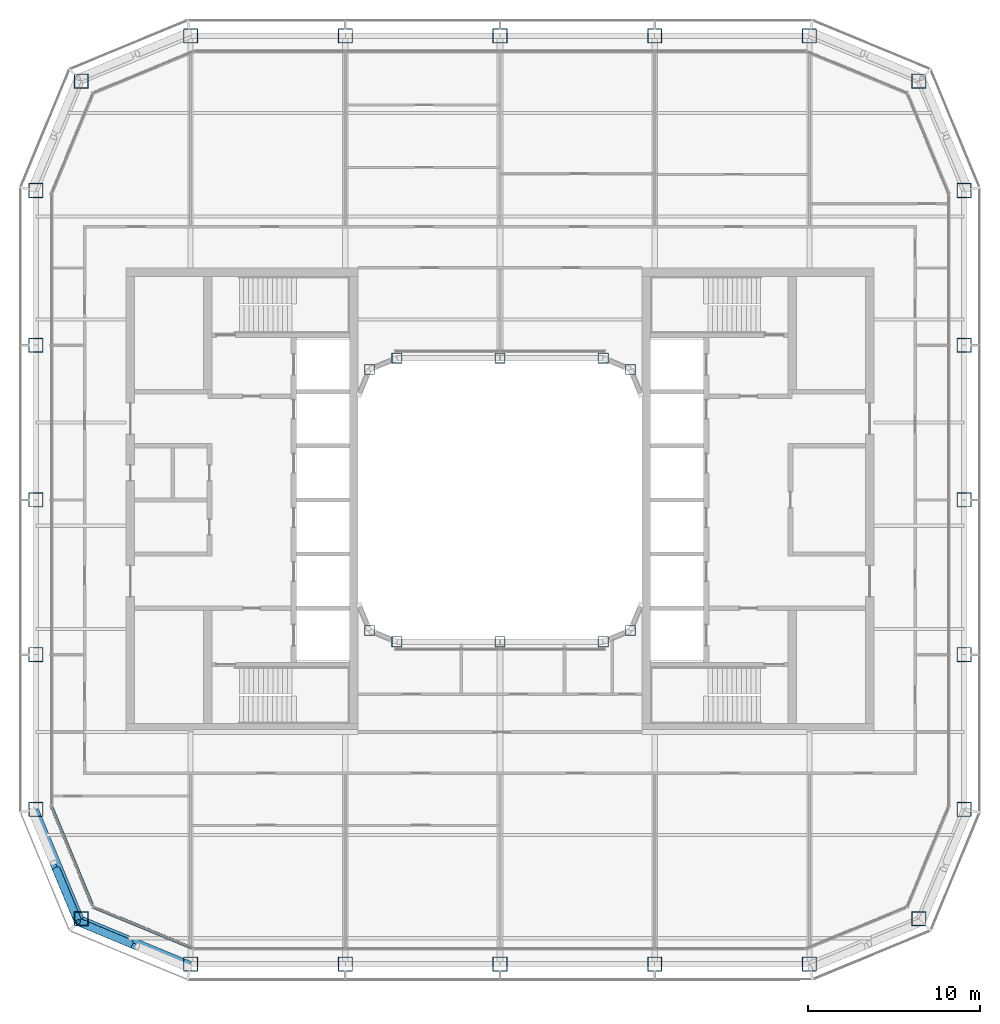
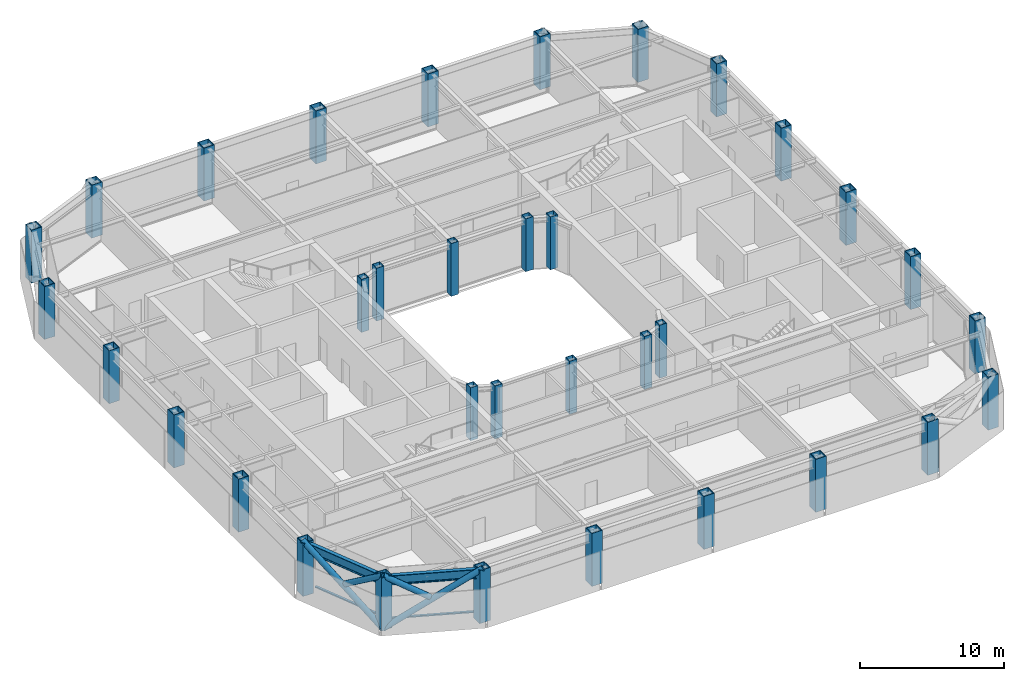
# One storey, part 1 of 19: 34 columns, 6 members, 2 beams, 2 elements without a shape of their own.
"""IFC4 building model written with IfcOpenShell, lengths in metres."""

from ifc_helpers import new_model, si_unit, direction, frame, origin, origin_2d, place, context, subcontext, project, spatial, rectangle, hollow_rectangle, hollow_circle, i_section, extrude, material, layer, layer_set, material_profile, profile_set, type_object, element, aggregate, save


model = new_model("IFC4")

# Units and contexts
model_context = context("Model", 3, precision=1e-05, world=origin(), true_north=direction((0.0, 1.0)))
body_context = subcontext(model_context, "Body", "Model", "MODEL_VIEW")
ifc_project = project(units=[si_unit("LENGTHUNIT", "METRE"), si_unit("AREAUNIT", "SQUARE_METRE"), si_unit("VOLUMEUNIT", "CUBIC_METRE"), si_unit("PLANEANGLEUNIT", "RADIAN"), si_unit("MASSUNIT", "GRAM", prefix="KILO")], contexts=[model_context])

# Site, building, storey
site_placement = place(None, origin())
site = spatial("IfcSite", under=ifc_project, at=site_placement, CompositionType="ELEMENT")
building_placement = place(site_placement, origin())
building = spatial("IfcBuilding", under=site, at=building_placement, Name="Siwar Civic Tower", CompositionType="ELEMENT")
storey_placement = place(building_placement, frame((0.0, 0.0, 210.699951171875)))
storey = spatial("IfcBuildingStorey", under=building, at=storey_placement, Name="L45", CompositionType="ELEMENT", Elevation=210.699951171875)

# Columns
ifc_material_1 = material(Name="Steel S355", Category="steel")
ifc_material_profile_1 = material_profile(ifc_material_1, hollow_rectangle(XDim=0.85009765625, YDim=0.85009765625, WallThickness=0.050048828125, at=origin_2d()), Name="BOX850x850x50")
ifc_profile_set_1 = profile_set([ifc_material_profile_1], Name="Steel S355")
column_type_1 = type_object("IfcColumnType", Name="STR-COL-BOX850x850x50", PredefinedType="COLUMN", material=ifc_profile_set_1)
for number, where, z_axis, x_axis, name in (
    (1, (-18.0, -27.0, 0.0), (0.0, 0.0, 1.0), (1.0, 0.0, 0.0), "L45/col/S-0"),
    (2, (-9.0, -27.0, 0.0), (0.0, 0.0, 1.0), (1.0, 0.0, 0.0), "L45/col/S-1"),
    (3, (0.0, -27.0, 0.0), (0.0, 0.0, 1.0), (1.0, 0.0, 0.0), "L45/col/S-2"),
    (4, (9.0, -27.0, 0.0), (0.0, 0.0, 1.0), (1.0, 0.0, 0.0), "L45/col/S-3"),
    (5, (18.0, -27.0, 0.0), (0.0, 0.0, 1.0), (1.0, 0.0, 0.0), "L45/col/SE1-0"),
    (6, (24.364013671875, -24.364013671875, 0.0), (0.0, 0.0, 1.0), (1.0, 0.0, 0.0), "L45/col/SE2-0"),
    (7, (27.0, -18.0, 0.0), (0.0, 0.0, 1.0), (1.0, 0.0, 0.0), "L45/col/E-0"),
    (8, (27.0, -9.0, 0.0), (0.0, 0.0, 1.0), (1.0, 0.0, 0.0), "L45/col/E-1"),
    (9, (27.0, 0.0, 0.0), (0.0, 0.0, 1.0), (1.0, 0.0, 0.0), "L45/col/E-2"),
    (10, (27.0, 9.0, 0.0), (0.0, 0.0, 1.0), (1.0, 0.0, 0.0), "L45/col/E-3"),
    (11, (27.0, 18.0, 0.0), (0.0, 0.0, 1.0), (1.0, 0.0, 0.0), "L45/col/NE1-0"),
    (12, (24.364013671875, 24.364013671875, 0.0), (0.0, 0.0, 1.0), (1.0, 0.0, 0.0), "L45/col/NE2-0"),
    (13, (18.0, 27.0, 0.0), (0.0, 0.0, 1.0), (1.0, 0.0, 0.0), "L45/col/N-0"),
    (14, (9.0, 27.0, 0.0), (0.0, 0.0, 1.0), (1.0, 0.0, 0.0), "L45/col/N-1"),
    (15, (0.0, 27.0, 0.0), (0.0, 0.0, 1.0), (1.0, 0.0, 0.0), "L45/col/N-2"),
    (16, (-9.0, 27.0, 0.0), (0.0, 0.0, 1.0), (1.0, 0.0, 0.0), "L45/col/N-3"),
    (17, (-18.0, 27.0, 0.0), (0.0, 0.0, 1.0), (1.0, 0.0, 0.0), "L45/col/NW1-0"),
    (18, (-24.364013671875, 24.364013671875, 0.0), (0.0, 0.0, 1.0), (1.0, 0.0, 0.0), "L45/col/NW2-0"),
    (19, (-27.0, 18.0, 0.0), (0.0, 0.0, 1.0), (1.0, 0.0, 0.0), "L45/col/W-0"),
    (20, (-27.0, 9.0, 0.0), (0.0, 0.0, 1.0), (1.0, 0.0, 0.0), "L45/col/W-1"),
    (21, (-27.0, 0.0, 0.0), (0.0, 0.0, 1.0), (1.0, 0.0, 0.0), "L45/col/W-2"),
    (22, (-27.0, -9.0, 0.0), (0.0, 0.0, 1.0), (1.0, 0.0, 0.0), "L45/col/W-3"),
    (23, (-27.0, -18.0, 0.0), (0.0, 0.0, 1.0), (1.0, 0.0, 0.0), "L45/col/SW1-0"),
    (24, (-24.364013671875, -24.364013671875, 0.0), (0.0, 0.0, 1.0), (1.0, 0.0, 0.0), "L45/col/SW2-0"),
):
    element("IfcColumn", number, at=place(storey_placement, frame(where, z_axis=z_axis, x_axis=x_axis)), inside=storey, type_object=column_type_1, Name=name, PredefinedType="COLUMN", context=body_context, shape_type="SweptSolid", body=[
        extrude(hollow_rectangle(XDim=0.85009765625, YDim=0.85009765625, WallThickness=0.050048828125, at=origin_2d()), origin(), (0.0, 0.0, 1.0), 4.5),
    ])
ifc_material_2 = material(Name="Steel S355", Category="steel")
ifc_material_profile_2 = material_profile(ifc_material_2, hollow_rectangle(XDim=0.60009765625, YDim=0.60009765625, WallThickness=0.031982421875, at=origin_2d()), Name="BOX600x600x32")
ifc_profile_set_2 = profile_set([ifc_material_profile_2], Name="Steel S355")
column_type_2 = type_object("IfcColumnType", Name="STR-ICOL-BOX600x600x32", PredefinedType="COLUMN", material=ifc_profile_set_2)
for number, where, z_axis, x_axis, name in (
    (25, (-7.591064453125, -7.591064453125, 0.0), (0.0, 0.0, 1.0), (1.0, 0.0, 0.0), "L45/col/IS-0"),
    (26, (-6.0, -8.25, 0.0), (0.0, 0.0, 1.0), (1.0, 0.0, 0.0), "L45/col/IS-1"),
    (27, (0.0, -8.25, 0.0), (0.0, 0.0, 1.0), (1.0, 0.0, 0.0), "L45/col/IS-2"),
    (28, (6.0, -8.25, 0.0), (0.0, 0.0, 1.0), (1.0, 0.0, 0.0), "L45/col/IS-3"),
    (29, (7.591064453125, -7.591064453125, 0.0), (0.0, 0.0, 1.0), (1.0, 0.0, 0.0), "L45/col/IS-4"),
    (30, (-7.591064453125, 7.591064453125, 0.0), (0.0, 0.0, 1.0), (1.0, 0.0, 0.0), "L45/col/IN-0"),
    (31, (-6.0, 8.25, 0.0), (0.0, 0.0, 1.0), (1.0, 0.0, 0.0), "L45/col/IN-1"),
    (32, (0.0, 8.25, 0.0), (0.0, 0.0, 1.0), (1.0, 0.0, 0.0), "L45/col/IN-2"),
    (33, (6.0, 8.25, 0.0), (0.0, 0.0, 1.0), (1.0, 0.0, 0.0), "L45/col/IN-3"),
    (34, (7.591064453125, 7.591064453125, 0.0), (0.0, 0.0, 1.0), (1.0, 0.0, 0.0), "L45/col/IN-4"),
):
    element("IfcColumn", number, at=place(storey_placement, frame(where, z_axis=z_axis, x_axis=x_axis)), inside=storey, type_object=column_type_2, Name=name, PredefinedType="COLUMN", context=body_context, shape_type="SweptSolid", body=[
        extrude(hollow_rectangle(XDim=0.60009765625, YDim=0.60009765625, WallThickness=0.031982421875, at=origin_2d()), origin(), (0.0, 0.0, 1.0), 4.5),
    ])

# Curtain wall, member
ifc_material_3 = material(Name="Aluminium clad insulated panel", Category="aluminium")
ifc_layer = layer(ifc_material_3, 0.179931640625)
ifc_layer_set = layer_set([ifc_layer], Name="Aluminium clad insulated panel")
curtain_wall_type = type_object("IfcCurtainWallType", Name="ENV-CW-CX", PredefinedType="NOTDEFINED", material=ifc_layer_set)
curtain_wall_1_placement = place(storey_placement, origin())
curtain_wall_1 = element("IfcCurtainWall", 35, at=curtain_wall_1_placement, inside=storey, type_object=curtain_wall_type, Name="Curtain wall C SW1", PredefinedType="NOTDEFINED")
ifc_material_4 = material(Name="Aluminium 6063-T6", Category="aluminium")
ifc_material_profile_3 = material_profile(ifc_material_4, rectangle(XDim=0.179931640625, YDim=0.10009765625, at=origin_2d()), Name="AL 180x100")
ifc_profile_set_3 = profile_set([ifc_material_profile_3], Name="Aluminium 6063-T6")
member_type_1 = type_object("IfcMemberType", Name="ENV-TRANSOM-C", PredefinedType="USERDEFINED", material=ifc_profile_set_3)
member_1_placement = place(storey_placement, frame((-26.088623046875, -17.8486328125, 0.050048828125), z_axis=(0.38267744817, -0.923882011223, 0.0), x_axis=(0.923882011223, 0.38267744817, 0.0)))
member_1 = element("IfcMember", 36, at=member_1_placement, type_object=member_type_1, Name="Transom C SW1 1", ObjectType="TRANSOM", PredefinedType="USERDEFINED", context=body_context, shape_type="SweptSolid", body=[
    extrude(rectangle(XDim=0.179931640625, YDim=0.10009765625, at=origin_2d()), origin(), (0.0, 0.0, 1.0), 6.201904296875),
])
aggregate(curtain_wall_1, [member_1])

curtain_wall_2_placement = place(storey_placement, origin())
curtain_wall_2 = element("IfcCurtainWall", 37, at=curtain_wall_2_placement, inside=storey, type_object=curtain_wall_type, Name="Curtain wall C SW2", PredefinedType="NOTDEFINED")
member_2_placement = place(storey_placement, frame((-23.6474609375, -23.6865234375, 0.050048828125), z_axis=(0.923876246063, -0.382691366456, 0.0), x_axis=(0.382691366456, 0.923876246063, 0.0)))
member_2 = element("IfcMember", 38, at=member_2_placement, type_object=member_type_1, Name="Transom C SW2 1", ObjectType="TRANSOM", PredefinedType="USERDEFINED", context=body_context, shape_type="SweptSolid", body=[
    extrude(rectangle(XDim=0.179931640625, YDim=0.10009765625, at=origin_2d()), origin(), (0.0, 0.0, 1.0), 6.20166015625),
])
aggregate(curtain_wall_2, [member_2])

# Members
ifc_material_5 = material(Name="Steel S355", Category="steel")
ifc_material_profile_4 = material_profile(ifc_material_5, hollow_circle(Radius=0.228515625, WallThickness=0.02001953125, at=origin_2d()), Name="CHS457x20")
ifc_profile_set_4 = profile_set([ifc_material_profile_4], Name="Steel S355")
member_type_2 = type_object("IfcMemberType", Name="STR-BR-CHS457x20", PredefinedType="BRACE", material=ifc_profile_set_4)
member_3_placement = place(storey_placement, frame((-24.540771484375, -24.540771484375, 0.0), z_axis=(0.777554562952, -0.323905527954, 0.538975055633), x_axis=(0.384538969033, 0.923108759191, 0.0)))
element("IfcMember", 39, at=member_3_placement, inside=storey, type_object=member_type_2, Name="L45/brc/CSW1-5-0-1", PredefinedType="BRACE", context=body_context, shape_type="SweptSolid", body=[
    extrude(hollow_circle(Radius=0.228515625, WallThickness=0.02001953125, at=origin_2d()), origin(), (0.0, 0.0, 1.0), 8.34912109375),
])
member_4_placement = place(storey_placement, frame((-21.486572265625, -25.81298828125, 2.383056640625), z_axis=(-0.777572496853, 0.323895306243, 0.538955325357), x_axis=(-0.38452107079, -0.92311621485, 0.0)))
element("IfcMember", 40, at=member_4_placement, inside=storey, type_object=member_type_2, Name="L45/brc/CSW1-5-0-3", PredefinedType="BRACE", context=body_context, shape_type="SweptSolid", body=[
    extrude(hollow_circle(Radius=0.228515625, WallThickness=0.02001953125, at=origin_2d()), origin(), (0.0, 0.0, 1.0), 3.927978515625),
])
member_5_placement = place(storey_placement, frame((-24.540771484375, -24.540771484375, 0.0), z_axis=(-0.323905527954, 0.777554562952, 0.538975055633), x_axis=(-0.923108759191, -0.384538969033, 0.0)))
element("IfcMember", 41, at=member_5_placement, inside=storey, type_object=member_type_2, Name="L45/brc/CSW1-5-0-0", PredefinedType="BRACE", context=body_context, shape_type="SweptSolid", body=[
    extrude(hollow_circle(Radius=0.228515625, WallThickness=0.02001953125, at=origin_2d()), origin(), (0.0, 0.0, 1.0), 8.34912109375),
])
member_6_placement = place(storey_placement, frame((-25.81298828125, -21.486572265625, 2.383056640625), z_axis=(0.323895306243, -0.777572496853, 0.538955325357), x_axis=(0.92311621485, 0.38452107079, 0.0)))
element("IfcMember", 42, at=member_6_placement, inside=storey, type_object=member_type_2, Name="L45/brc/CSW1-5-0-5", PredefinedType="BRACE", context=body_context, shape_type="SweptSolid", body=[
    extrude(hollow_circle(Radius=0.228515625, WallThickness=0.02001953125, at=origin_2d()), origin(), (0.0, 0.0, 1.0), 3.927978515625),
])

# Beams
ifc_material_6 = material(Name="Steel S355", Category="steel")
ifc_material_profile_5 = material_profile(ifc_material_6, i_section(OverallWidth=0.300048828125, OverallDepth=0.800048828125, WebThickness=0.017578125, FlangeThickness=0.032958984375, FilletRadius=0.030029296875, at=origin_2d()), Name="HEB800")
ifc_profile_set_5 = profile_set([ifc_material_profile_5], Name="Steel S355")
beam_type = type_object("IfcBeamType", Name="STR-SB-HEB800", PredefinedType="BEAM", material=ifc_profile_set_5)
for number, where, z_axis, x_axis, name in (
    (43, (-27.0, -18.0, 3.949951171875), (0.382674207535, -0.923883353507, 0.0), (0.923883353507, 0.382674207535, 0.0), "L45/bm/SSW1-0"),
    (44, (-24.364013671875, -24.364013671875, 3.949951171875), (0.923883353507, -0.382674207535, 0.0), (0.382674207535, 0.923883353507, 0.0), "L45/bm/SSW2-0"),
):
    element("IfcBeam", number, at=place(storey_placement, frame(where, z_axis=z_axis, x_axis=x_axis)), inside=storey, type_object=beam_type, Name=name, PredefinedType="BEAM", context=body_context, shape_type="SweptSolid", body=[
        extrude(i_section(OverallWidth=0.300048828125, OverallDepth=0.800048828125, WebThickness=0.017578125, FlangeThickness=0.032958984375, FilletRadius=0.030029296875, at=origin_2d()), origin(), (0.0, 0.0, 1.0), 6.888427734375),
    ])

save(model, "model.ifc")
